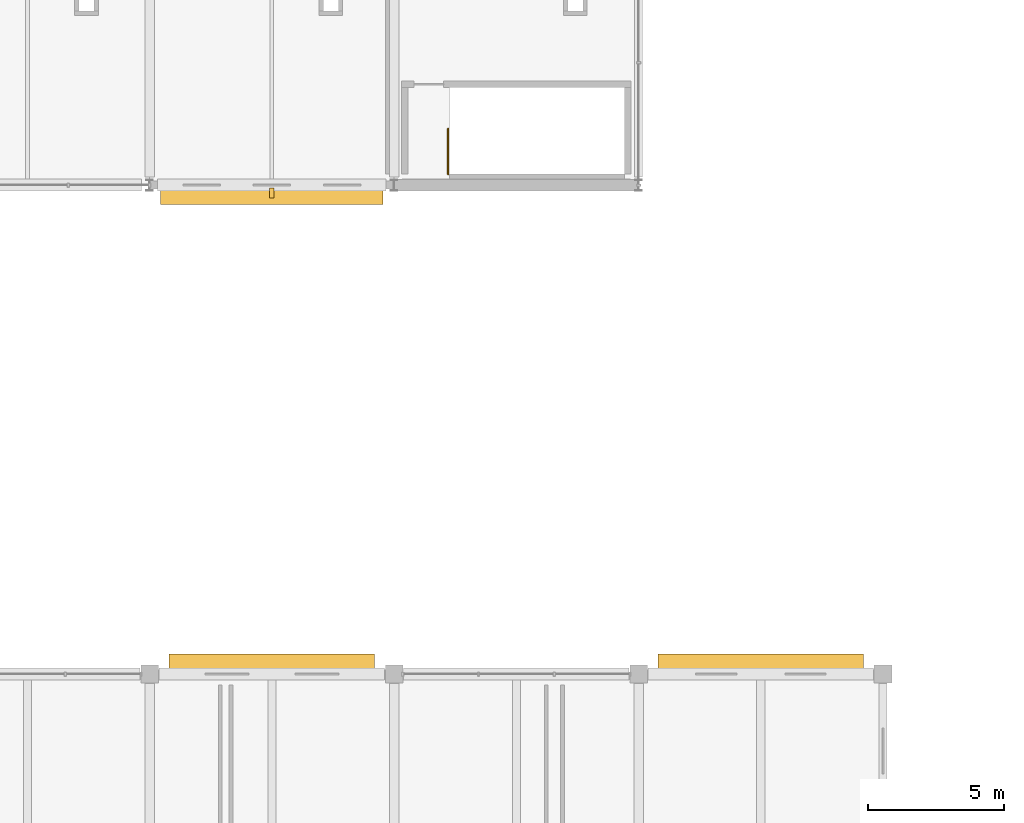
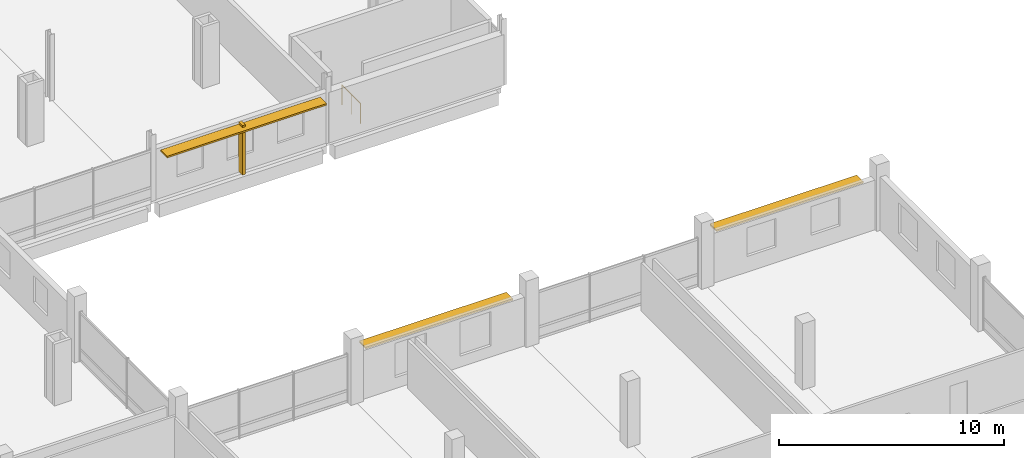
# One storey, part 123 of 132: 4 shading devices, 1 railing.
"""IFC4 building model written with IfcOpenShell, lengths in metres."""

from ifc_helpers import new_model, si_unit, direction, frame, origin, origin_2d, place, context, subcontext, project, spatial, rectangle, circle, extrude, material, layer, layer_set, type_object, element, save


model = new_model("IFC4")

# Units and contexts
model_context = context("Model", 3, precision=1e-05, world=origin(), true_north=direction((0.0, 1.0)))
body_context = subcontext(model_context, "Body", "Model", "MODEL_VIEW")
ifc_project = project(units=[si_unit("LENGTHUNIT", "METRE"), si_unit("AREAUNIT", "SQUARE_METRE"), si_unit("VOLUMEUNIT", "CUBIC_METRE"), si_unit("PLANEANGLEUNIT", "RADIAN"), si_unit("MASSUNIT", "GRAM", prefix="KILO")], contexts=[model_context])

# Site, building, storey
site_placement = place(None, origin())
site = spatial("IfcSite", under=ifc_project, at=site_placement, CompositionType="ELEMENT")
building_placement = place(site_placement, origin())
building = spatial("IfcBuilding", under=site, at=building_placement, Name="Tharagai Park Tramway Depot", CompositionType="ELEMENT")
storey_placement = place(building_placement, frame((0.0, 0.0, 4.800048828125)))
storey = spatial("IfcBuildingStorey", under=building, at=storey_placement, Name="L01", CompositionType="ELEMENT", Elevation=4.800048828125)

# Railing
ifc_material_1 = material(Name="Galvanised steel", Category="steel")
railing_type = type_object("IfcRailingType", Name="HR-02", PredefinedType="GUARDRAIL", material=ifc_material_1)
railing_placement = place(storey_placement, frame((82.989990234375, 45.39990234375, 0.0)))
element("IfcRailing", 1, at=railing_placement, inside=storey, type_object=railing_type, Name="L01 ST-09 top well guard 1", PredefinedType="GUARDRAIL", context=body_context, shape_type="SweptSolid", body=[
    extrude(circle(Radius=0.02392578125, at=origin_2d()), frame((0.0, 0.0, 1.076171875), z_axis=(0.0, 1.0, 0.0), x_axis=(-1.0, 0.0, 0.0)), (0.0, 0.0, 1.0), 1.670166015625),
    extrude(circle(Radius=0.02099609375, at=origin_2d()), origin(), (0.0, 0.0, 1.0), 1.052001953125),
    extrude(circle(Radius=0.02099609375, at=origin_2d()), frame((0.0, 0.8349609375, 0.0)), (0.0, 0.0, 1.0), 1.052001953125),
    extrude(circle(Radius=0.02099609375, at=origin_2d()), frame((0.0, 1.670166015625, 0.0)), (0.0, 0.0, 1.0), 1.052001953125),
])

# Shading devices
ifc_material_2 = material(Name="Anodised aluminium", Category="aluminium")
ifc_layer_1 = layer(ifc_material_2, 0.090087890625)
ifc_layer_set_1 = layer_set([ifc_layer_1], Name="Anodised aluminium")
shading_device_type_1 = type_object("IfcShadingDeviceType", Name="SD-01", PredefinedType="SHUTTER", material=ifc_layer_set_1)
for number, where, z_axis, x_axis, name in (
    (2, (76.5, 27.449951171875, 2.4169921875), (0.0, 0.0, 1.0), (1.0, 0.0, 0.0), "Monsoon Storm Louvre Hood SD-01 #10"),
    (3, (94.5, 27.449951171875, 2.47705078125), (0.0, 0.0, 1.0), (1.0, 0.0, 0.0), "Monsoon Storm Louvre Hood SD-01 #11"),
):
    element("IfcShadingDevice", number, at=place(storey_placement, frame(where, z_axis=z_axis, x_axis=x_axis)), inside=storey, type_object=shading_device_type_1, Name=name, PredefinedType="SHUTTER", context=body_context, shape_type="SweptSolid", body=[
        extrude(rectangle(XDim=7.553955078125, YDim=0.580078125, at=origin_2d()), origin(), (0.0, 0.0, 1.0), 0.090087890625),
    ])
shading_device_1_placement = place(storey_placement, frame((76.5, 44.570068359375, 2.51708984375), z_axis=(0.0, 0.0, 1.0), x_axis=(1.0, 0.0, 0.0)))
element("IfcShadingDevice", 4, at=shading_device_1_placement, inside=storey, type_object=shading_device_type_1, Name="Monsoon Storm Louvre Hood SD-01 #15", PredefinedType="SHUTTER", context=body_context, shape_type="SweptSolid", body=[
    extrude(rectangle(XDim=8.19189453125, YDim=0.580078125, at=origin_2d()), origin(), (0.0, 0.0, 1.0), 0.090087890625),
])
ifc_material_3 = material(Name="Charnockite stone", Category="masonry")
ifc_layer_2 = layer(ifc_material_3, 0.159912109375)
ifc_layer_set_2 = layer_set([ifc_layer_2], Name="Charnockite stone")
shading_device_type_2 = type_object("IfcShadingDeviceType", Name="SD-02", PredefinedType="JALOUSIE", material=ifc_layer_set_2)
shading_device_2_placement = place(storey_placement, frame((76.5, 44.7099609375, 0.02978515625), z_axis=(0.0, 0.0, 1.0), x_axis=(1.0, 0.0, 0.0)))
element("IfcShadingDevice", 5, at=shading_device_2_placement, inside=storey, type_object=shading_device_type_2, Name="Charnockite Gothic Lancet Mullion Fin SD-02 #10", PredefinedType="JALOUSIE", context=body_context, shape_type="SweptSolid", body=[
    extrude(rectangle(XDim=0.159912109375, YDim=0.360107421875, at=origin_2d()), origin(), (0.0, 0.0, 1.0), 2.681884765625),
])

save(model, "model.ifc")
